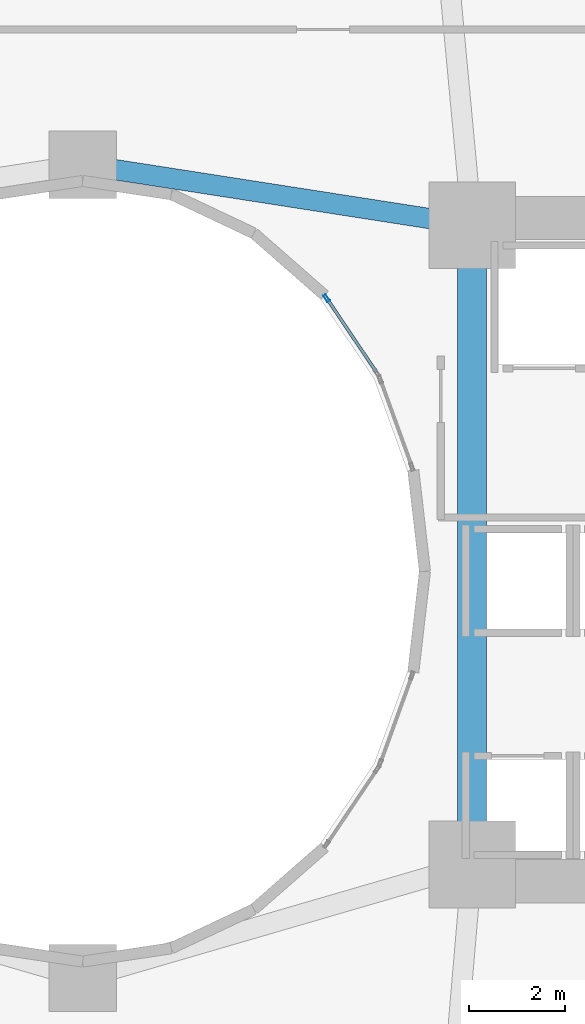
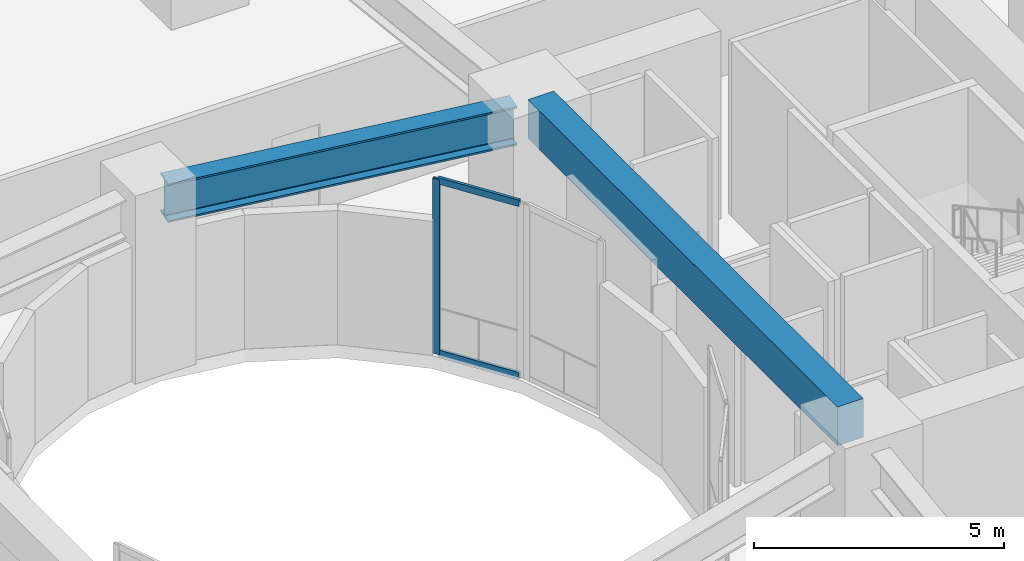
# One storey, part 8 of 25: 3 members, 2 beams, 1 element without a shape of its own.
"""IFC4 building model written with IfcOpenShell, lengths in metres."""

from ifc_helpers import new_model, si_unit, direction, frame, origin, origin_2d, place, context, subcontext, project, spatial, rectangle, hollow_rectangle, i_section, extrude, material, layer, layer_set, material_profile, profile_set, type_object, element, aggregate, save


model = new_model("IFC4")

# Units and contexts
model_context = context("Model", 3, precision=1e-05, world=origin(), true_north=direction((0.0, 1.0)))
body_context = subcontext(model_context, "Body", "Model", "MODEL_VIEW")
ifc_project = project(units=[si_unit("LENGTHUNIT", "METRE"), si_unit("AREAUNIT", "SQUARE_METRE"), si_unit("VOLUMEUNIT", "CUBIC_METRE"), si_unit("PLANEANGLEUNIT", "RADIAN"), si_unit("MASSUNIT", "GRAM", prefix="KILO")], contexts=[model_context])

# Site, building, storey
site_placement = place(None, origin())
site = spatial("IfcSite", under=ifc_project, at=site_placement, CompositionType="ELEMENT")
building_placement = place(site_placement, origin())
building = spatial("IfcBuilding", under=site, at=building_placement, Name="Solvane Sanctuary Tower", CompositionType="ELEMENT")
storey_placement = place(building_placement, frame((0.0, 0.0, 4.60009765625)))
storey = spatial("IfcBuildingStorey", under=building, at=storey_placement, Name="L02", CompositionType="ELEMENT", Elevation=4.60009765625)

# Beams
ifc_material_1 = material(Name="Concrete C70/85", Category="concrete")
ifc_material_profile_1 = material_profile(ifc_material_1, rectangle(XDim=0.60009765625, YDim=0.949951171875, at=origin_2d()), Name="RC600X950")
ifc_profile_set_1 = profile_set([ifc_material_profile_1], Name="Concrete C70/85")
beam_type_1 = type_object("IfcBeamType", Name="Beam B-COUPLE RC600X950", PredefinedType="LINTEL", material=ifc_profile_set_1)
beam_1_placement = place(storey_placement, frame((40.10009765625, 17.35009765625, 4.125), z_axis=(0.0, 1.0, 0.0), x_axis=(-1.0, 0.0, 0.0)))
element("IfcBeam", 1, at=beam_1_placement, inside=storey, type_object=beam_type_1, Name="L02 East Core Coupling Lintel", PredefinedType="LINTEL", context=body_context, shape_type="SweptSolid", body=[
    extrude(rectangle(XDim=0.60009765625, YDim=0.949951171875, at=origin_2d()), origin(), (0.0, 0.0, 1.0), 12.39990234375),
])
ifc_material_2 = material(Name="Steel ASTM A913 Grade 65", Category="steel")
ifc_material_profile_2 = material_profile(ifc_material_2, i_section(OverallWidth=0.423095703125, OverallDepth=0.947998046875, WebThickness=0.02392578125, FlangeThickness=0.042724609375, FilletRadius=0.02392578125, at=origin_2d()), Name="W36X302")
ifc_profile_set_2 = profile_set([ifc_material_profile_2], Name="Steel ASTM A913 Grade 65")
beam_type_2 = type_object("IfcBeamType", Name="Beam B-POD-GIRD W36X302", PredefinedType="BEAM", material=ifc_profile_set_2)
beam_2_placement = place(storey_placement, frame((32.345703125, 31.40625, 3.803955078125), z_axis=(0.988118117449, -0.153696408448, 0.0), x_axis=(0.153696408448, 0.988118117449, 0.0)))
element("IfcBeam", 2, at=beam_2_placement, inside=storey, type_object=beam_type_2, Name="L02 Podium Primary Girder PG20", PredefinedType="BEAM", context=body_context, shape_type="SweptSolid", body=[
    extrude(i_section(OverallWidth=0.423095703125, OverallDepth=0.947998046875, WebThickness=0.02392578125, FlangeThickness=0.042724609375, FilletRadius=0.02392578125, at=origin_2d()), origin(), (0.0, 0.0, 1.0), 7.49755859375),
])

# Curtain wall, members
ifc_material_3 = material(Name="Anodised Aluminium 6063-T6", Category="aluminium")
ifc_layer = layer(ifc_material_3, 0.199951171875, Name="Anodised Aluminium 6063-T6")
ifc_layer_set = layer_set([ifc_layer], Name="Anodised Aluminium 6063-T6")
curtain_wall_type = type_object("IfcCurtainWallType", Name="Curtain Wall CW-WELL", PredefinedType="NOTDEFINED", material=ifc_layer_set)
curtain_wall_placement = place(storey_placement, origin())
curtain_wall = element("IfcCurtainWall", 3, at=curtain_wall_placement, inside=storey, type_object=curtain_wall_type, Name="L02 Light-Well Curtain Wall 02", PredefinedType="NOTDEFINED")
ifc_material_profile_3 = material_profile(ifc_material_3, hollow_rectangle(XDim=0.06494140625, YDim=0.159912109375, WallThickness=0.00341796875, at=origin_2d()), Name="ALU160X65X3.5")
ifc_profile_set_3 = profile_set([ifc_material_profile_3], Name="Anodised Aluminium 6063-T6")
member_type_1 = type_object("IfcMemberType", Name="Member M-CW-MUL-2 ALU160X65X3.5", PredefinedType="MULLION", material=ifc_profile_set_3)
member_1_placement = place(storey_placement, frame((37.074951171875, 28.681640625, 0.0), z_axis=(0.0, 0.0, 1.0), x_axis=(-0.829664150104, -0.558262839559, 0.0)))
member_1 = element("IfcMember", 4, at=member_1_placement, type_object=member_type_1, Name="CW-WELL mullion 2", PredefinedType="MULLION", context=body_context, shape_type="SweptSolid", body=[
    extrude(hollow_rectangle(XDim=0.06494140625, YDim=0.159912109375, WallThickness=0.00341796875, at=origin_2d()), origin(), (0.0, 0.0, 1.0), 4.27978515625),
])
ifc_material_profile_4 = material_profile(ifc_material_3, hollow_rectangle(XDim=0.06494140625, YDim=0.159912109375, WallThickness=0.00341796875, at=origin_2d()), Name="ALU160X65X3.5")
ifc_profile_set_4 = profile_set([ifc_material_profile_4], Name="Anodised Aluminium 6063-T6")
member_type_2 = type_object("IfcMemberType", Name="Member M-CW-TRN-1 ALU160X65X3.5", PredefinedType="USERDEFINED", material=ifc_profile_set_4)
member_2_placement = place(storey_placement, frame((38.107421875, 27.147216796875, 0.032470703125), z_axis=(-0.558230518083, 0.829685897603, 0.0), x_axis=(-0.829685897603, -0.558230518083, 0.0)))
member_2 = element("IfcMember", 5, at=member_2_placement, type_object=member_type_2, Name="CW-WELL transom 1.1", ObjectType="TRANSOM", PredefinedType="USERDEFINED", context=body_context, shape_type="SweptSolid", body=[
    extrude(hollow_rectangle(XDim=0.06494140625, YDim=0.159912109375, WallThickness=0.00341796875, at=origin_2d()), origin(), (0.0, 0.0, 1.0), 1.816650390625),
])
member_3_placement = place(storey_placement, frame((38.107421875, 27.147216796875, 4.247314453125), z_axis=(-0.558230518083, 0.829685897603, 0.0), x_axis=(-0.829685897603, -0.558230518083, 0.0)))
member_3 = element("IfcMember", 6, at=member_3_placement, type_object=member_type_2, Name="CW-WELL transom 1.2", ObjectType="TRANSOM", PredefinedType="USERDEFINED", context=body_context, shape_type="SweptSolid", body=[
    extrude(hollow_rectangle(XDim=0.06494140625, YDim=0.159912109375, WallThickness=0.00341796875, at=origin_2d()), origin(), (0.0, 0.0, 1.0), 1.816650390625),
])
aggregate(curtain_wall, [member_1, member_2, member_3])

save(model, "model.ifc")
